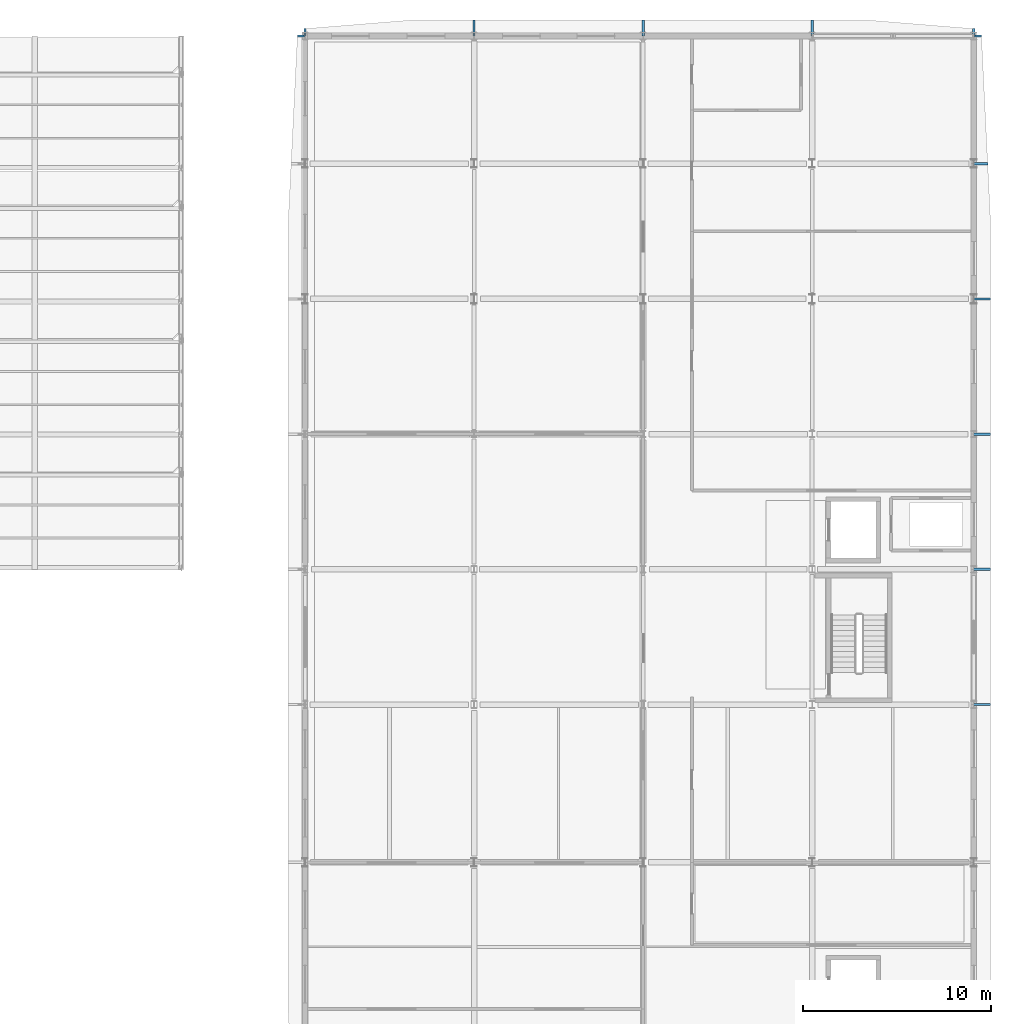
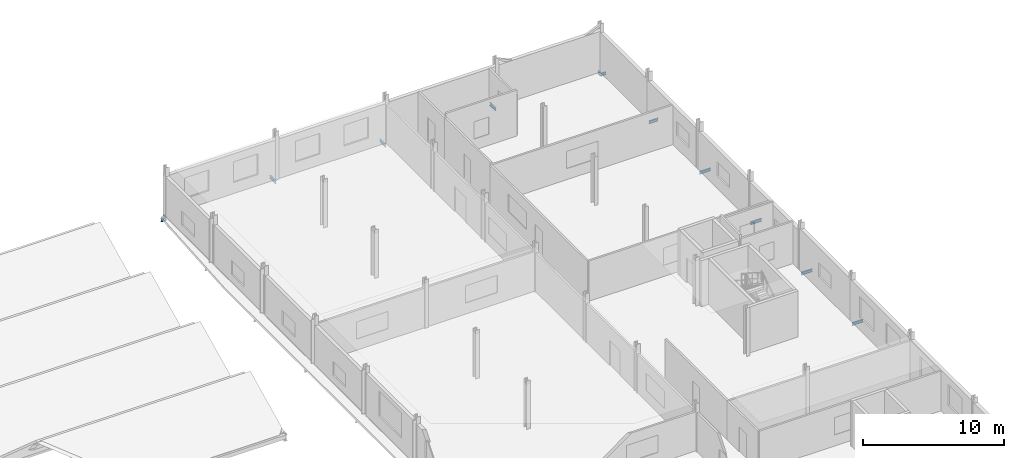
# One storey, part 94 of 138: 12 beams.
"""IFC4 building model written with IfcOpenShell, lengths in metres."""

from ifc_helpers import new_model, si_unit, direction, frame, origin, origin_2d, place, context, subcontext, project, spatial, i_section, extrude, material, material_profile, profile_set, type_object, element, save


model = new_model("IFC4")

# Units and contexts
model_context = context("Model", 3, precision=1e-05, world=origin(), true_north=direction((0.0, 1.0)))
body_context = subcontext(model_context, "Body", "Model", "MODEL_VIEW")
ifc_project = project(units=[si_unit("LENGTHUNIT", "METRE"), si_unit("AREAUNIT", "SQUARE_METRE"), si_unit("VOLUMEUNIT", "CUBIC_METRE"), si_unit("PLANEANGLEUNIT", "RADIAN"), si_unit("MASSUNIT", "GRAM", prefix="KILO")], contexts=[model_context])

# Site, building, storey
site_placement = place(None, origin())
site = spatial("IfcSite", under=ifc_project, at=site_placement, CompositionType="ELEMENT")
building_placement = place(site_placement, origin())
building = spatial("IfcBuilding", under=site, at=building_placement, Name="Vinh Khe Railworks Police Headquarters", CompositionType="ELEMENT")
storey_placement = place(building_placement, frame((0.0, 0.0, 9.0)))
storey = spatial("IfcBuildingStorey", under=building, at=storey_placement, Name="L02", CompositionType="ELEMENT", Elevation=9.0)

# Beams
ifc_material = material(Name="Steel S355JR", Category="steel")
ifc_material_profile = material_profile(ifc_material, i_section(OverallWidth=0.1201171875, OverallDepth=0.239990234375, WebThickness=0.006103515625, FlangeThickness=0.009765625, FilletRadius=0.014892578125, at=origin_2d()), Name="IPE 240")
ifc_profile_set = profile_set([ifc_material_profile], Name="Steel S355JR")
beam_type = type_object("IfcBeamType", Name="Monsoon Hood Outrigger IPE 240", PredefinedType="BEAM", material=ifc_profile_set)
beam_1_placement = place(storey_placement, frame((77.58740234375, 166.39990234375, -0.360107421875), z_axis=(1.0, 0.0, 0.0), x_axis=(0.0, 1.0, 0.0)))
element("IfcBeam", 1, at=beam_1_placement, inside=storey, type_object=beam_type, Name="Monsoon Sun-Hood Outrigger L02-176", PredefinedType="BEAM", context=body_context, shape_type="SweptSolid", body=[
    extrude(i_section(OverallWidth=0.1201171875, OverallDepth=0.239990234375, WebThickness=0.006103515625, FlangeThickness=0.009765625, FilletRadius=0.014892578125, at=origin_2d()), origin(), (0.0, 0.0, 1.0), 0.41259765625),
])
for number, where, z_axis, x_axis, name in (
    (2, (113.60009765625, 130.800048828125, -0.360107421875), (1.0, 0.0, 0.0), (0.0, 1.0, 0.0), "Monsoon Sun-Hood Outrigger L02-180"),
    (3, (113.60009765625, 138.0, -0.360107421875), (1.0, 0.0, 0.0), (0.0, 1.0, 0.0), "Monsoon Sun-Hood Outrigger L02-181"),
    (4, (113.60009765625, 145.199951171875, -0.360107421875), (1.0, 0.0, 0.0), (0.0, 1.0, 0.0), "Monsoon Sun-Hood Outrigger L02-182"),
    (5, (113.60009765625, 152.39990234375, -0.360107421875), (1.0, 0.0, 0.0), (0.0, 1.0, 0.0), "Monsoon Sun-Hood Outrigger L02-183"),
):
    element("IfcBeam", number, at=place(storey_placement, frame(where, z_axis=z_axis, x_axis=x_axis)), inside=storey, type_object=beam_type, Name=name, PredefinedType="BEAM", context=body_context, shape_type="SweptSolid", body=[
        extrude(i_section(OverallWidth=0.1201171875, OverallDepth=0.239990234375, WebThickness=0.006103515625, FlangeThickness=0.009765625, FilletRadius=0.014892578125, at=origin_2d()), origin(), (0.0, 0.0, 1.0), 0.89990234375),
    ])
beam_2_placement = place(storey_placement, frame((113.60009765625, 159.60009765625, -0.360107421875), z_axis=(1.0, 0.0, 0.0), x_axis=(0.0, 1.0, 0.0)))
element("IfcBeam", 6, at=beam_2_placement, inside=storey, type_object=beam_type, Name="Monsoon Sun-Hood Outrigger L02-184", PredefinedType="BEAM", context=body_context, shape_type="SweptSolid", body=[
    extrude(i_section(OverallWidth=0.1201171875, OverallDepth=0.239990234375, WebThickness=0.006103515625, FlangeThickness=0.009765625, FilletRadius=0.014892578125, at=origin_2d()), origin(), (0.0, 0.0, 1.0), 0.749755859375),
])
beam_3_placement = place(storey_placement, frame((113.60009765625, 166.39990234375, -0.360107421875), z_axis=(1.0, 0.0, 0.0), x_axis=(0.0, 1.0, 0.0)))
element("IfcBeam", 7, at=beam_3_placement, inside=storey, type_object=beam_type, Name="Monsoon Sun-Hood Outrigger L02-185", PredefinedType="BEAM", context=body_context, shape_type="SweptSolid", body=[
    extrude(i_section(OverallWidth=0.1201171875, OverallDepth=0.239990234375, WebThickness=0.006103515625, FlangeThickness=0.009765625, FilletRadius=0.014892578125, at=origin_2d()), origin(), (0.0, 0.0, 1.0), 0.4189453125),
])
beam_4_placement = place(storey_placement, frame((78.0, 166.39990234375, -0.360107421875), z_axis=(0.0, 1.0, 0.0), x_axis=(-1.0, 0.0, 0.0)))
element("IfcBeam", 8, at=beam_4_placement, inside=storey, type_object=beam_type, Name="Monsoon Sun-Hood Outrigger L02-186", PredefinedType="BEAM", context=body_context, shape_type="SweptSolid", body=[
    extrude(i_section(OverallWidth=0.1201171875, OverallDepth=0.239990234375, WebThickness=0.006103515625, FlangeThickness=0.009765625, FilletRadius=0.014892578125, at=origin_2d()), origin(), (0.0, 0.0, 1.0), 0.388671875),
])
for number, where, z_axis, x_axis, name in (
    (9, (87.0, 166.39990234375, -0.360107421875), (0.0, 1.0, 0.0), (-1.0, 0.0, 0.0), "Monsoon Sun-Hood Outrigger L02-187"),
    (10, (96.0, 166.39990234375, -0.360107421875), (0.0, 1.0, 0.0), (-1.0, 0.0, 0.0), "Monsoon Sun-Hood Outrigger L02-188"),
    (11, (105.0, 166.39990234375, -0.360107421875), (0.0, 1.0, 0.0), (-1.0, 0.0, 0.0), "Monsoon Sun-Hood Outrigger L02-189"),
):
    element("IfcBeam", number, at=place(storey_placement, frame(where, z_axis=z_axis, x_axis=x_axis)), inside=storey, type_object=beam_type, Name=name, PredefinedType="BEAM", context=body_context, shape_type="SweptSolid", body=[
        extrude(i_section(OverallWidth=0.1201171875, OverallDepth=0.239990234375, WebThickness=0.006103515625, FlangeThickness=0.009765625, FilletRadius=0.014892578125, at=origin_2d()), origin(), (0.0, 0.0, 1.0), 0.85009765625),
    ])
beam_5_placement = place(storey_placement, frame((113.60009765625, 166.39990234375, -0.360107421875), z_axis=(0.0, 1.0, 0.0), x_axis=(-1.0, 0.0, 0.0)))
element("IfcBeam", 12, at=beam_5_placement, inside=storey, type_object=beam_type, Name="Monsoon Sun-Hood Outrigger L02-190", PredefinedType="BEAM", context=body_context, shape_type="SweptSolid", body=[
    extrude(i_section(OverallWidth=0.1201171875, OverallDepth=0.239990234375, WebThickness=0.006103515625, FlangeThickness=0.009765625, FilletRadius=0.014892578125, at=origin_2d()), origin(), (0.0, 0.0, 1.0), 0.388671875),
])

save(model, "model.ifc")
